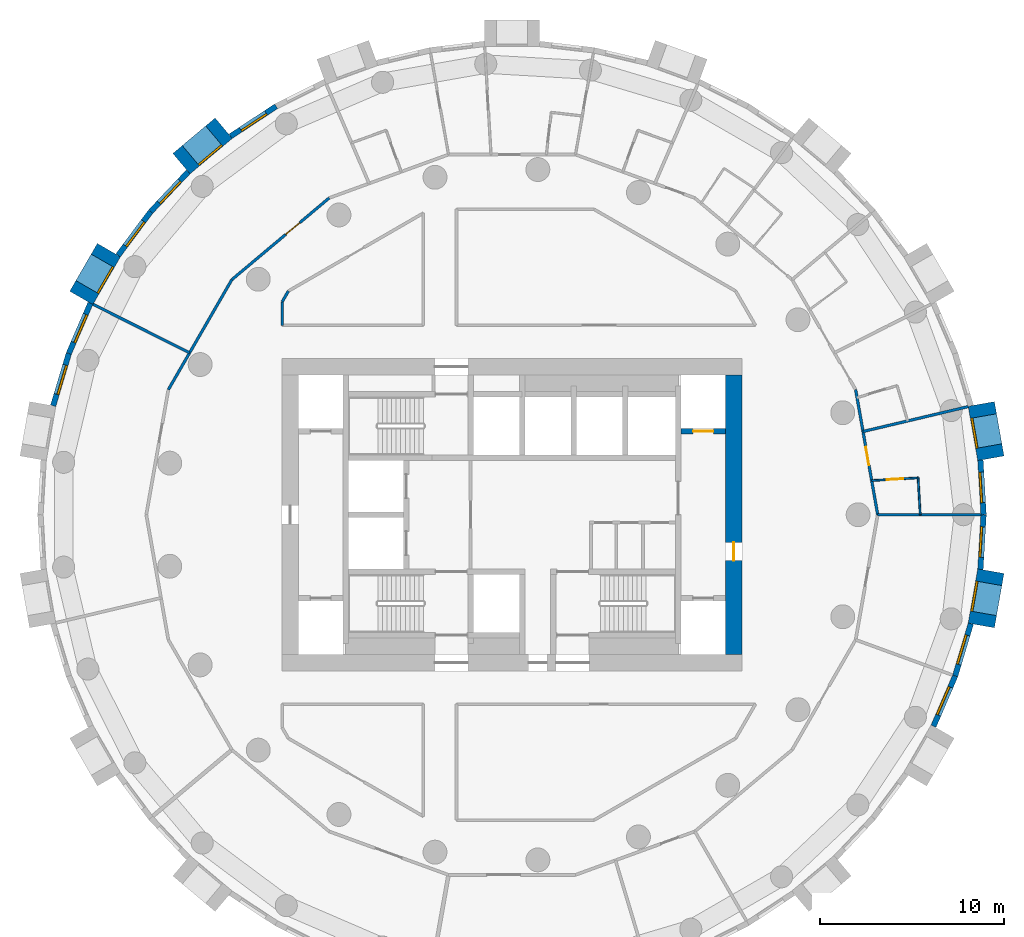
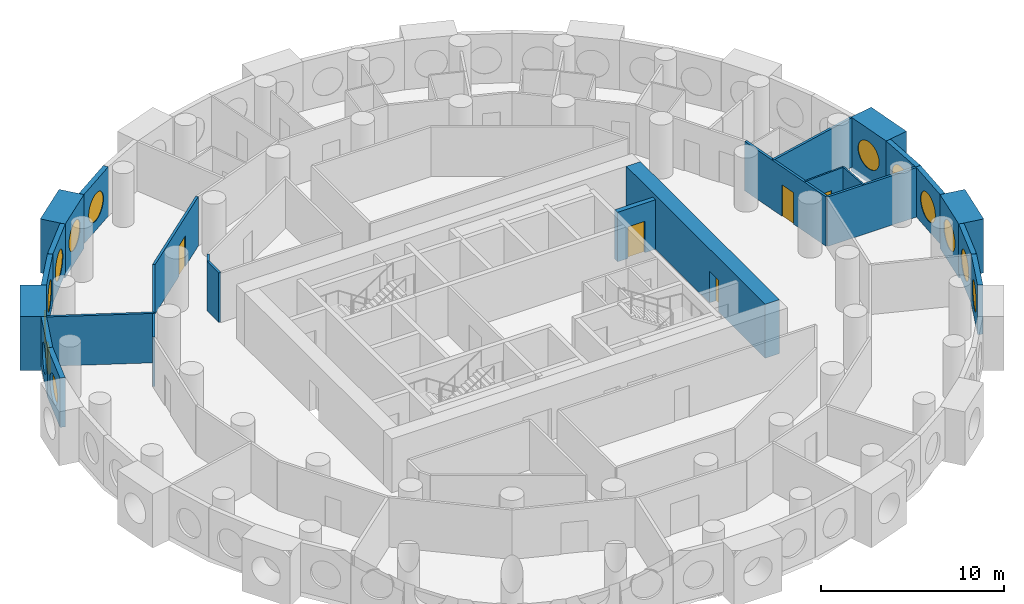
# One storey, part 5 of 9: 25 walls, 13 windows, 5 doors, 18 openings.
"""IFC4 building model written with IfcOpenShell, lengths in metres."""

from ifc_helpers import new_model, si_unit, direction, frame, frame_2d, origin, origin_2d, place, context, subcontext, project, spatial, rectangle, circle, extrude, material, layer, layer_set, type_object, element, fill, save


model = new_model("IFC4")

# Units and contexts
model_context = context("Model", 3, precision=1e-05, world=origin(), true_north=direction((0.0, 1.0)))
body_context = subcontext(model_context, "Body", "Model", "MODEL_VIEW")
ifc_project = project(units=[si_unit("LENGTHUNIT", "METRE"), si_unit("AREAUNIT", "SQUARE_METRE"), si_unit("VOLUMEUNIT", "CUBIC_METRE"), si_unit("PLANEANGLEUNIT", "RADIAN"), si_unit("MASSUNIT", "GRAM", prefix="KILO")], contexts=[model_context])

# Site, building, storey
site_placement = place(None, origin())
site = spatial("IfcSite", under=ifc_project, at=site_placement, CompositionType="ELEMENT")
building_placement = place(site_placement, origin())
building = spatial("IfcBuilding", under=site, at=building_placement, Name="Tracery Tower", CompositionType="ELEMENT")
storey_placement = place(building_placement, frame((0.0, 0.0, 162.0)))
storey = spatial("IfcBuildingStorey", under=building, at=storey_placement, Name="L41", CompositionType="ELEMENT", Elevation=162.0)

# Wall, opening, door
ifc_material_1 = material(Name="Concrete C50/60", Category="concrete")
ifc_layer_1 = layer(ifc_material_1, 0.89990234375)
ifc_layer_set_1 = layer_set([ifc_layer_1], Name="Core wall 900 C50")
wall_type_1 = type_object("IfcWallType", Name="Core wall 900 C50", PredefinedType="SOLIDWALL", material=ifc_layer_set_1)
wall_1_placement = place(storey_placement, frame((12.050048828125, -7.60009765625, 0.0), z_axis=(0.0, 0.0, 1.0), x_axis=(0.0, 1.0, 0.0)))
wall_1 = element("IfcWall", 1, at=wall_1_placement, inside=storey, type_object=wall_type_1, Name="L41 outer E", PredefinedType="SOLIDWALL", context=body_context, shape_type="SweptSolid", body=[
    extrude(rectangle(XDim=15.2001953125, YDim=0.89990234375, at=frame_2d((7.60009765625, 0.0))), origin(), (0.0, 0.0, 1.0), 3.60009765625),
])
opening_1_placement = place(wall_1_placement, frame((5.10009765625, 0.0, 0.0)))
opening_1 = element("IfcOpeningElement", 2, at=opening_1_placement, cuts=wall_1, Name="Opening KD18", PredefinedType="OPENING", context=body_context, shape_type="SweptSolid", body=[
    extrude(rectangle(XDim=1.0, YDim=2.10009765625, at=frame_2d((0.5, 1.050048828125))), frame((0.0, 0.449951171875, 0.0), z_axis=(0.0, -1.0, 0.0), x_axis=(1.0, 0.0, 0.0)), (0.0, 0.0, 1.0), 0.89990234375),
])
ifc_material_2 = material(Name="Steel fire door", Category="steel")
door_type_1 = type_object("IfcDoorType", Name="Core exit door 1000", OperationType="NOTDEFINED", PredefinedType="DOOR", material=ifc_material_2)
door_1_placement = place(opening_1_placement, origin())
door_1 = element("IfcDoor", 3, at=door_1_placement, inside=storey, type_object=door_type_1, Name="Core exit door", OperationType="DOUBLE_DOOR_SINGLE_SWING", OverallHeight=2.10009765625, OverallWidth=1.0, PredefinedType="DOOR", context=body_context, shape_type="SweptSolid", body=[
    extrude(rectangle(XDim=1.0, YDim=2.10009765625, at=frame_2d((0.5, 1.050048828125))), frame((0.0, 0.02490234375, 0.0), z_axis=(0.0, -1.0, 0.0), x_axis=(1.0, 0.0, 0.0)), (0.0, 0.0, 1.0), 0.050048828125),
])
fill(opening_1, door_1)

# Wall, opening, window
ifc_material_3 = material(Name="Precast concrete C50/60", Category="concrete")
ifc_layer_2 = layer(ifc_material_3, 1.449951171875)
ifc_layer_set_2 = layer_set([ifc_layer_2], Name="Deep-set bay unit 3000 x 3600, slab edge 300")
wall_type_2 = type_object("IfcWallType", Name="Deep-set bay unit 3000 x 3600, slab edge 300", PredefinedType="ELEMENTEDWALL", material=ifc_layer_set_2)
wall_2_placement = place(storey_placement, frame((26.041748046875, 3.06884765625, -0.300048828125), z_axis=(0.0, 0.0, 1.0), x_axis=(-0.173669267716, 0.984804034035, 0.0)))
wall_2 = element("IfcWall", 4, at=wall_2_placement, inside=storey, type_object=wall_type_2, Name="Deep-set bay unit 2 at L41", PredefinedType="ELEMENTEDWALL", context=body_context, shape_type="SweptSolid", body=[
    extrude(rectangle(XDim=3.0, YDim=1.449951171875, at=frame_2d((1.5, 0.0))), origin(), (0.0, 0.0, 1.0), 3.60009765625),
])
opening_2_placement = place(wall_2_placement, frame((1.5, 0.0, 1.85009765625)))
opening_2 = element("IfcOpeningElement", 5, at=opening_2_placement, cuts=wall_2, Name="Opening WN1", PredefinedType="OPENING", context=body_context, shape_type="SweptSolid", body=[
    extrude(circle(Radius=0.9000244140625, at=origin_2d()), frame((0.0, 0.73486328125, 0.0), z_axis=(0.0, -1.0, 0.0), x_axis=(1.0, 0.0, 0.0)), (0.0, 0.0, 1.0), 1.469970703125),
])
ifc_material_4 = material(Name="Aluminium frame with tinted double glazing", Category="aluminium")
window_type = type_object("IfcWindowType", Name="Round window 1800", PartitioningType="SINGLE_PANEL", PredefinedType="WINDOW", material=ifc_material_4)
window_1_placement = place(opening_2_placement, origin())
window_1 = element("IfcWindow", 6, at=window_1_placement, inside=storey, type_object=window_type, Name="Round window 2 at L41", OverallHeight=1.800048828125, OverallWidth=1.800048828125, PartitioningType="SINGLE_PANEL", PredefinedType="WINDOW", context=body_context, shape_type="SweptSolid", body=[
    extrude(circle(Radius=0.9000244140625, at=origin_2d()), frame((0.0, 0.69482421875, 0.0), z_axis=(0.0, -1.0, 0.0), x_axis=(1.0, 0.0, 0.0)), (0.0, 0.0, 1.0), 0.10009765625),
])
fill(opening_2, window_1)

wall_3_placement = place(storey_placement, frame((-15.678466796875, 21.0185546875, -0.300048828125), z_axis=(0.0, 0.0, 1.0), x_axis=(-0.766022196139, -0.642814121673, 0.0)))
wall_3 = element("IfcWall", 7, at=wall_3_placement, inside=storey, type_object=wall_type_2, Name="Deep-set bay unit 20 at L41", PredefinedType="ELEMENTEDWALL", context=body_context, shape_type="SweptSolid", body=[
    extrude(rectangle(XDim=3.0, YDim=1.449951171875, at=frame_2d((1.5, 0.0))), origin(), (0.0, 0.0, 1.0), 3.60009765625),
])
opening_3_placement = place(wall_3_placement, frame((1.5, 0.0, 1.85009765625)))
opening_3 = element("IfcOpeningElement", 8, at=opening_3_placement, cuts=wall_3, Name="Opening WN1", PredefinedType="OPENING", context=body_context, shape_type="SweptSolid", body=[
    extrude(circle(Radius=0.9000244140625, at=origin_2d()), frame((0.0, 0.73486328125, 0.0), z_axis=(0.0, -1.0, 0.0), x_axis=(1.0, 0.0, 0.0)), (0.0, 0.0, 1.0), 1.469970703125),
])
window_2_placement = place(opening_3_placement, origin())
window_2 = element("IfcWindow", 9, at=window_2_placement, inside=storey, type_object=window_type, Name="Round window 20 at L41", OverallHeight=1.800048828125, OverallWidth=1.800048828125, PartitioningType="SINGLE_PANEL", PredefinedType="WINDOW", context=body_context, shape_type="SweptSolid", body=[
    extrude(circle(Radius=0.9000244140625, at=origin_2d()), frame((0.0, 0.69482421875, 0.0), z_axis=(0.0, -1.0, 0.0), x_axis=(1.0, 0.0, 0.0)), (0.0, 0.0, 1.0), 0.10009765625),
])
fill(opening_3, window_2)

wall_4_placement = place(storey_placement, frame((-21.921630859375, 14.388671875, -0.300048828125), z_axis=(0.0, 0.0, 1.0), x_axis=(-0.499990139034, -0.866031096941, 0.0)))
wall_4 = element("IfcWall", 10, at=wall_4_placement, inside=storey, type_object=wall_type_2, Name="Deep-set bay unit 23 at L41", PredefinedType="ELEMENTEDWALL", context=body_context, shape_type="SweptSolid", body=[
    extrude(rectangle(XDim=3.0, YDim=1.449951171875, at=frame_2d((1.5, 0.0))), origin(), (0.0, 0.0, 1.0), 3.60009765625),
])
opening_4_placement = place(wall_4_placement, frame((1.5, 0.0, 1.85009765625)))
opening_4 = element("IfcOpeningElement", 11, at=opening_4_placement, cuts=wall_4, Name="Opening WN1", PredefinedType="OPENING", context=body_context, shape_type="SweptSolid", body=[
    extrude(circle(Radius=0.9000244140625, at=origin_2d()), frame((0.0, 0.73486328125, 0.0), z_axis=(0.0, -1.0, 0.0), x_axis=(1.0, 0.0, 0.0)), (0.0, 0.0, 1.0), 1.469970703125),
])
window_3_placement = place(opening_4_placement, origin())
window_3 = element("IfcWindow", 12, at=window_3_placement, inside=storey, type_object=window_type, Name="Round window 23 at L41", OverallHeight=1.800048828125, OverallWidth=1.800048828125, PartitioningType="SINGLE_PANEL", PredefinedType="WINDOW", context=body_context, shape_type="SweptSolid", body=[
    extrude(circle(Radius=0.9000244140625, at=origin_2d()), frame((0.0, 0.69482421875, 0.0), z_axis=(0.0, -1.0, 0.0), x_axis=(1.0, 0.0, 0.0)), (0.0, 0.0, 1.0), 0.10009765625),
])
fill(opening_4, window_3)

wall_5_placement = place(storey_placement, frame((25.520751953125, -6.023193359375, -0.300048828125), z_axis=(0.0, 0.0, 1.0), x_axis=(0.173669267716, 0.984804034035, 0.0)))
wall_5 = element("IfcWall", 13, at=wall_5_placement, inside=storey, type_object=wall_type_2, Name="Deep-set bay unit 53 at L41", PredefinedType="ELEMENTEDWALL", context=body_context, shape_type="SweptSolid", body=[
    extrude(rectangle(XDim=3.0, YDim=1.449951171875, at=frame_2d((1.5, 0.0))), origin(), (0.0, 0.0, 1.0), 3.60009765625),
])
opening_5_placement = place(wall_5_placement, frame((1.5, 0.0, 1.85009765625)))
opening_5 = element("IfcOpeningElement", 14, at=opening_5_placement, cuts=wall_5, Name="Opening WN1", PredefinedType="OPENING", context=body_context, shape_type="SweptSolid", body=[
    extrude(circle(Radius=0.9000244140625, at=origin_2d()), frame((0.0, 0.73486328125, 0.0), z_axis=(0.0, -1.0, 0.0), x_axis=(1.0, 0.0, 0.0)), (0.0, 0.0, 1.0), 1.469970703125),
])
window_4_placement = place(opening_5_placement, origin())
window_4 = element("IfcWindow", 15, at=window_4_placement, inside=storey, type_object=window_type, Name="Round window 53 at L41", OverallHeight=1.800048828125, OverallWidth=1.800048828125, PartitioningType="SINGLE_PANEL", PredefinedType="WINDOW", context=body_context, shape_type="SweptSolid", body=[
    extrude(circle(Radius=0.9000244140625, at=origin_2d()), frame((0.0, 0.69482421875, 0.0), z_axis=(0.0, -1.0, 0.0), x_axis=(1.0, 0.0, 0.0)), (0.0, 0.0, 1.0), 0.10009765625),
])
fill(opening_5, window_4)

ifc_material_5 = material(Name="Precast concrete C50/60", Category="concrete")
ifc_layer_3 = layer(ifc_material_5, 0.300048828125)
ifc_layer_set_3 = layer_set([ifc_layer_3], Name="Facade panel 3000 x 3300")
wall_type_3 = type_object("IfcWallType", Name="Facade panel 3000 x 3300", PredefinedType="SOLIDWALL", material=ifc_layer_set_3)
wall_6_placement = place(storey_placement, frame((25.6474609375, 0.0, 0.0), z_axis=(0.0, 0.0, 1.0), x_axis=(-0.058144307138, 0.998308188661, 0.0)))
wall_6 = element("IfcWall", 16, at=wall_6_placement, inside=storey, type_object=wall_type_3, Name="Facade panel 1 at L41", PredefinedType="SOLIDWALL", context=body_context, shape_type="SweptSolid", body=[
    extrude(rectangle(XDim=2.972900390625, YDim=0.300048828125, at=frame_2d((1.486328125, 0.0))), origin(), (0.0, 0.0, 1.0), 3.300048828125),
])
opening_6_placement = place(wall_6_placement, frame((1.486328125, 0.0, 1.5498046875)))
opening_6 = element("IfcOpeningElement", 17, at=opening_6_placement, cuts=wall_6, Name="Opening WN1", PredefinedType="OPENING", context=body_context, shape_type="SweptSolid", body=[
    extrude(circle(Radius=0.9000244140625, at=origin_2d()), frame((0.0, 0.159912109375, 0.0), z_axis=(0.0, -1.0, 0.0), x_axis=(1.0, 0.0, 0.0)), (0.0, 0.0, 1.0), 0.320068359375),
])
window_5_placement = place(opening_6_placement, origin())
window_5 = element("IfcWindow", 18, at=window_5_placement, inside=storey, type_object=window_type, Name="Round window 1 at L41", OverallHeight=1.800048828125, OverallWidth=1.800048828125, PartitioningType="SINGLE_PANEL", PredefinedType="WINDOW", context=body_context, shape_type="SweptSolid", body=[
    extrude(circle(Radius=0.9000244140625, at=origin_2d()), frame((0.0, 0.1201171875, 0.0), z_axis=(0.0, -1.0, 0.0), x_axis=(1.0, 0.0, 0.0)), (0.0, 0.0, 1.0), 0.10009765625),
])
fill(opening_6, window_5)

wall_7_placement = place(storey_placement, frame((-12.82373046875, 22.21142578125, 0.0), z_axis=(0.0, 0.0, 1.0), x_axis=(-0.835470659512, -0.549535055382, 0.0)))
wall_7 = element("IfcWall", 19, at=wall_7_placement, inside=storey, type_object=wall_type_3, Name="Facade panel 19 at L41", PredefinedType="SOLIDWALL", context=body_context, shape_type="SweptSolid", body=[
    extrude(rectangle(XDim=2.97314453125, YDim=0.300048828125, at=frame_2d((1.486572265625, 0.0))), origin(), (0.0, 0.0, 1.0), 3.300048828125),
])
opening_7_placement = place(wall_7_placement, frame((1.486328125, 0.0, 1.5498046875)))
opening_7 = element("IfcOpeningElement", 20, at=opening_7_placement, cuts=wall_7, Name="Opening WN1", PredefinedType="OPENING", context=body_context, shape_type="SweptSolid", body=[
    extrude(circle(Radius=0.9000244140625, at=origin_2d()), frame((0.0, 0.159912109375, 0.0), z_axis=(0.0, -1.0, 0.0), x_axis=(1.0, 0.0, 0.0)), (0.0, 0.0, 1.0), 0.320068359375),
])
window_6_placement = place(opening_7_placement, origin())
window_6 = element("IfcWindow", 21, at=window_6_placement, inside=storey, type_object=window_type, Name="Round window 19 at L41", OverallHeight=1.800048828125, OverallWidth=1.800048828125, PartitioningType="SINGLE_PANEL", PredefinedType="WINDOW", context=body_context, shape_type="SweptSolid", body=[
    extrude(circle(Radius=0.9000244140625, at=origin_2d()), frame((0.0, 0.1201171875, 0.0), z_axis=(0.0, -1.0, 0.0), x_axis=(1.0, 0.0, 0.0)), (0.0, 0.0, 1.0), 0.10009765625),
])
fill(opening_7, window_6)

wall_8_placement = place(storey_placement, frame((-17.60693359375, 18.648193359375, 0.0), z_axis=(0.0, 0.0, 1.0), x_axis=(-0.686235184166, -0.727379730273, 0.0)))
wall_8 = element("IfcWall", 22, at=wall_8_placement, inside=storey, type_object=wall_type_3, Name="Facade panel 21 at L41", PredefinedType="SOLIDWALL", context=body_context, shape_type="SweptSolid", body=[
    extrude(rectangle(XDim=2.972900390625, YDim=0.300048828125, at=frame_2d((1.486328125, 0.0))), origin(), (0.0, 0.0, 1.0), 3.300048828125),
])
opening_8_placement = place(wall_8_placement, frame((1.486328125, 0.0, 1.5498046875)))
opening_8 = element("IfcOpeningElement", 23, at=opening_8_placement, cuts=wall_8, Name="Opening WN1", PredefinedType="OPENING", context=body_context, shape_type="SweptSolid", body=[
    extrude(circle(Radius=0.9000244140625, at=origin_2d()), frame((0.0, 0.159912109375, 0.0), z_axis=(0.0, -1.0, 0.0), x_axis=(1.0, 0.0, 0.0)), (0.0, 0.0, 1.0), 0.320068359375),
])
window_7_placement = place(opening_8_placement, origin())
window_7 = element("IfcWindow", 24, at=window_7_placement, inside=storey, type_object=window_type, Name="Round window 21 at L41", OverallHeight=1.800048828125, OverallWidth=1.800048828125, PartitioningType="SINGLE_PANEL", PredefinedType="WINDOW", context=body_context, shape_type="SweptSolid", body=[
    extrude(circle(Radius=0.9000244140625, at=origin_2d()), frame((0.0, 0.1201171875, 0.0), z_axis=(0.0, -1.0, 0.0), x_axis=(1.0, 0.0, 0.0)), (0.0, 0.0, 1.0), 0.10009765625),
])
fill(opening_8, window_7)

wall_9_placement = place(storey_placement, frame((-19.64697265625, 16.48583984375, 0.0), z_axis=(0.0, 0.0, 1.0), x_axis=(-0.597197580538, -0.80209416517, 0.0)))
wall_9 = element("IfcWall", 25, at=wall_9_placement, inside=storey, type_object=wall_type_3, Name="Facade panel 22 at L41", PredefinedType="SOLIDWALL", context=body_context, shape_type="SweptSolid", body=[
    extrude(rectangle(XDim=2.972900390625, YDim=0.300048828125, at=frame_2d((1.486328125, 0.0))), origin(), (0.0, 0.0, 1.0), 3.300048828125),
])
opening_9_placement = place(wall_9_placement, frame((1.486328125, 0.0, 1.5498046875)))
opening_9 = element("IfcOpeningElement", 26, at=opening_9_placement, cuts=wall_9, Name="Opening WN1", PredefinedType="OPENING", context=body_context, shape_type="SweptSolid", body=[
    extrude(circle(Radius=0.9000244140625, at=origin_2d()), frame((0.0, 0.159912109375, 0.0), z_axis=(0.0, -1.0, 0.0), x_axis=(1.0, 0.0, 0.0)), (0.0, 0.0, 1.0), 0.320068359375),
])
window_8_placement = place(opening_9_placement, origin())
window_8 = element("IfcWindow", 27, at=window_8_placement, inside=storey, type_object=window_type, Name="Round window 22 at L41", OverallHeight=1.800048828125, OverallWidth=1.800048828125, PartitioningType="SINGLE_PANEL", PredefinedType="WINDOW", context=body_context, shape_type="SweptSolid", body=[
    extrude(circle(Radius=0.9000244140625, at=origin_2d()), frame((0.0, 0.1201171875, 0.0), z_axis=(0.0, -1.0, 0.0), x_axis=(1.0, 0.0, 0.0)), (0.0, 0.0, 1.0), 0.10009765625),
])
fill(opening_9, window_8)

wall_10_placement = place(storey_placement, frame((-22.923095703125, 11.501708984375, 0.0), z_axis=(0.0, 0.0, 1.0), x_axis=(-0.396148129016, -0.918186614952, 0.0)))
wall_10 = element("IfcWall", 28, at=wall_10_placement, inside=storey, type_object=wall_type_3, Name="Facade panel 24 at L41", PredefinedType="SOLIDWALL", context=body_context, shape_type="SweptSolid", body=[
    extrude(rectangle(XDim=2.972900390625, YDim=0.300048828125, at=frame_2d((1.486328125, 0.0))), origin(), (0.0, 0.0, 1.0), 3.300048828125),
])
opening_10_placement = place(wall_10_placement, frame((1.486328125, 0.0, 1.5498046875)))
opening_10 = element("IfcOpeningElement", 29, at=opening_10_placement, cuts=wall_10, Name="Opening WN1", PredefinedType="OPENING", context=body_context, shape_type="SweptSolid", body=[
    extrude(circle(Radius=0.9000244140625, at=origin_2d()), frame((0.0, 0.159912109375, 0.0), z_axis=(0.0, -1.0, 0.0), x_axis=(1.0, 0.0, 0.0)), (0.0, 0.0, 1.0), 0.320068359375),
])
window_9_placement = place(opening_10_placement, origin())
window_9 = element("IfcWindow", 30, at=window_9_placement, inside=storey, type_object=window_type, Name="Round window 24 at L41", OverallHeight=1.800048828125, OverallWidth=1.800048828125, PartitioningType="SINGLE_PANEL", PredefinedType="WINDOW", context=body_context, shape_type="SweptSolid", body=[
    extrude(circle(Radius=0.9000244140625, at=origin_2d()), frame((0.0, 0.1201171875, 0.0), z_axis=(0.0, -1.0, 0.0), x_axis=(1.0, 0.0, 0.0)), (0.0, 0.0, 1.0), 0.10009765625),
])
fill(opening_10, window_9)

wall_11_placement = place(storey_placement, frame((-24.100830078125, 8.77197265625, 0.0), z_axis=(0.0, 0.0, 1.0), x_axis=(-0.286782750849, -0.957995643944, 0.0)))
wall_11 = element("IfcWall", 31, at=wall_11_placement, inside=storey, type_object=wall_type_3, Name="Facade panel 25 at L41", PredefinedType="SOLIDWALL", context=body_context, shape_type="SweptSolid", body=[
    extrude(rectangle(XDim=2.97265625, YDim=0.300048828125, at=frame_2d((1.486328125, 0.0))), origin(), (0.0, 0.0, 1.0), 3.300048828125),
])
opening_11_placement = place(wall_11_placement, frame((1.486328125, 0.0, 1.5498046875)))
opening_11 = element("IfcOpeningElement", 32, at=opening_11_placement, cuts=wall_11, Name="Opening WN1", PredefinedType="OPENING", context=body_context, shape_type="SweptSolid", body=[
    extrude(circle(Radius=0.9000244140625, at=origin_2d()), frame((0.0, 0.159912109375, 0.0), z_axis=(0.0, -1.0, 0.0), x_axis=(1.0, 0.0, 0.0)), (0.0, 0.0, 1.0), 0.320068359375),
])
window_10_placement = place(opening_11_placement, origin())
window_10 = element("IfcWindow", 33, at=window_10_placement, inside=storey, type_object=window_type, Name="Round window 25 at L41", OverallHeight=1.800048828125, OverallWidth=1.800048828125, PartitioningType="SINGLE_PANEL", PredefinedType="WINDOW", context=body_context, shape_type="SweptSolid", body=[
    extrude(circle(Radius=0.9000244140625, at=origin_2d()), frame((0.0, 0.1201171875, 0.0), z_axis=(0.0, -1.0, 0.0), x_axis=(1.0, 0.0, 0.0)), (0.0, 0.0, 1.0), 0.10009765625),
])
fill(opening_11, window_10)

wall_12_placement = place(storey_placement, frame((22.923095703125, -11.501708984375, 0.0), z_axis=(0.0, 0.0, 1.0), x_axis=(0.396148129016, 0.918186614952, 0.0)))
wall_12 = element("IfcWall", 34, at=wall_12_placement, inside=storey, type_object=wall_type_3, Name="Facade panel 51 at L41", PredefinedType="SOLIDWALL", context=body_context, shape_type="SweptSolid", body=[
    extrude(rectangle(XDim=2.972900390625, YDim=0.300048828125, at=frame_2d((1.486328125, 0.0))), origin(), (0.0, 0.0, 1.0), 3.300048828125),
])
opening_12_placement = place(wall_12_placement, frame((1.486328125, 0.0, 1.5498046875)))
opening_12 = element("IfcOpeningElement", 35, at=opening_12_placement, cuts=wall_12, Name="Opening WN1", PredefinedType="OPENING", context=body_context, shape_type="SweptSolid", body=[
    extrude(circle(Radius=0.9000244140625, at=origin_2d()), frame((0.0, 0.159912109375, 0.0), z_axis=(0.0, -1.0, 0.0), x_axis=(1.0, 0.0, 0.0)), (0.0, 0.0, 1.0), 0.320068359375),
])
window_11_placement = place(opening_12_placement, origin())
window_11 = element("IfcWindow", 36, at=window_11_placement, inside=storey, type_object=window_type, Name="Round window 51 at L41", OverallHeight=1.800048828125, OverallWidth=1.800048828125, PartitioningType="SINGLE_PANEL", PredefinedType="WINDOW", context=body_context, shape_type="SweptSolid", body=[
    extrude(circle(Radius=0.9000244140625, at=origin_2d()), frame((0.0, 0.1201171875, 0.0), z_axis=(0.0, -1.0, 0.0), x_axis=(1.0, 0.0, 0.0)), (0.0, 0.0, 1.0), 0.10009765625),
])
fill(opening_12, window_11)

wall_13_placement = place(storey_placement, frame((24.100830078125, -8.77197265625, 0.0), z_axis=(0.0, 0.0, 1.0), x_axis=(0.286782750849, 0.957995643944, 0.0)))
wall_13 = element("IfcWall", 37, at=wall_13_placement, inside=storey, type_object=wall_type_3, Name="Facade panel 52 at L41", PredefinedType="SOLIDWALL", context=body_context, shape_type="SweptSolid", body=[
    extrude(rectangle(XDim=2.97265625, YDim=0.300048828125, at=frame_2d((1.486328125, 0.0))), origin(), (0.0, 0.0, 1.0), 3.300048828125),
])
opening_13_placement = place(wall_13_placement, frame((1.486328125, 0.0, 1.5498046875)))
opening_13 = element("IfcOpeningElement", 38, at=opening_13_placement, cuts=wall_13, Name="Opening WN1", PredefinedType="OPENING", context=body_context, shape_type="SweptSolid", body=[
    extrude(circle(Radius=0.9000244140625, at=origin_2d()), frame((0.0, 0.159912109375, 0.0), z_axis=(0.0, -1.0, 0.0), x_axis=(1.0, 0.0, 0.0)), (0.0, 0.0, 1.0), 0.320068359375),
])
window_12_placement = place(opening_13_placement, origin())
window_12 = element("IfcWindow", 39, at=window_12_placement, inside=storey, type_object=window_type, Name="Round window 52 at L41", OverallHeight=1.800048828125, OverallWidth=1.800048828125, PartitioningType="SINGLE_PANEL", PredefinedType="WINDOW", context=body_context, shape_type="SweptSolid", body=[
    extrude(circle(Radius=0.9000244140625, at=origin_2d()), frame((0.0, 0.1201171875, 0.0), z_axis=(0.0, -1.0, 0.0), x_axis=(1.0, 0.0, 0.0)), (0.0, 0.0, 1.0), 0.10009765625),
])
fill(opening_13, window_12)

wall_14_placement = place(storey_placement, frame((25.474609375, -2.9677734375, 0.0), z_axis=(0.0, 0.0, 1.0), x_axis=(0.058144307138, 0.998308188661, 0.0)))
wall_14 = element("IfcWall", 40, at=wall_14_placement, inside=storey, type_object=wall_type_3, Name="Facade panel 54 at L41", PredefinedType="SOLIDWALL", context=body_context, shape_type="SweptSolid", body=[
    extrude(rectangle(XDim=2.972900390625, YDim=0.300048828125, at=frame_2d((1.486328125, 0.0))), origin(), (0.0, 0.0, 1.0), 3.300048828125),
])
opening_14_placement = place(wall_14_placement, frame((1.486328125, 0.0, 1.5498046875)))
opening_14 = element("IfcOpeningElement", 41, at=opening_14_placement, cuts=wall_14, Name="Opening WN1", PredefinedType="OPENING", context=body_context, shape_type="SweptSolid", body=[
    extrude(circle(Radius=0.9000244140625, at=origin_2d()), frame((0.0, 0.159912109375, 0.0), z_axis=(0.0, -1.0, 0.0), x_axis=(1.0, 0.0, 0.0)), (0.0, 0.0, 1.0), 0.320068359375),
])
window_13_placement = place(opening_14_placement, origin())
window_13 = element("IfcWindow", 42, at=window_13_placement, inside=storey, type_object=window_type, Name="Round window 54 at L41", OverallHeight=1.800048828125, OverallWidth=1.800048828125, PartitioningType="SINGLE_PANEL", PredefinedType="WINDOW", context=body_context, shape_type="SweptSolid", body=[
    extrude(circle(Radius=0.9000244140625, at=origin_2d()), frame((0.0, 0.1201171875, 0.0), z_axis=(0.0, -1.0, 0.0), x_axis=(1.0, 0.0, 0.0)), (0.0, 0.0, 1.0), 0.10009765625),
])
fill(opening_14, window_13)

# Wall
ifc_material_6 = material(Name="Plasterboard on steel studs", Category="steel")
ifc_layer_4 = layer(ifc_material_6, 0.10009765625)
ifc_layer_set_4 = layer_set([ifc_layer_4], Name="Partition 100 wet wall")
wall_type_4 = type_object("IfcWallType", Name="Partition 100 wet wall", PredefinedType="PARTITIONING", material=ifc_layer_set_4)
wall_15_placement = place(storey_placement, frame((22.083984375, 2.0048828125, 0.0), z_axis=(0.0, 0.0, 1.0), x_axis=(0.058230299749, -0.998303176491, 0.0)))
element("IfcWall", 43, at=wall_15_placement, inside=storey, type_object=wall_type_4, Name="Wet wall RB4-039", PredefinedType="PARTITIONING", context=body_context, shape_type="SweptSolid", body=[
    extrude(rectangle(XDim=2.00830078125, YDim=0.10009765625, at=frame_2d((1.004150390625, 0.0))), origin(), (0.0, 0.0, 1.0), 3.300048828125),
])

# Wall, opening, door
wall_16_placement = place(storey_placement, frame((19.56005859375, 1.85791015625, 0.0), z_axis=(0.0, 0.0, 1.0), x_axis=(0.998308830473, 0.05813328651, 0.0)))
wall_16 = element("IfcWall", 44, at=wall_16_placement, inside=storey, type_object=wall_type_4, Name="Wet wall RB4-040", PredefinedType="PARTITIONING", context=body_context, shape_type="SweptSolid", body=[
    extrude(rectangle(XDim=2.5283203125, YDim=0.10009765625, at=frame_2d((1.26416015625, 0.0))), origin(), (0.0, 0.0, 1.0), 3.300048828125),
])
opening_15_placement = place(wall_16_placement, frame((0.814208984375, 0.0, 0.0)))
opening_15 = element("IfcOpeningElement", 45, at=opening_15_placement, cuts=wall_16, Name="Opening RB4-05", PredefinedType="OPENING", context=body_context, shape_type="SweptSolid", body=[
    extrude(rectangle(XDim=0.89990234375, YDim=2.0400390625, at=frame_2d((0.449951171875, 1.02001953125))), frame((0.0, 0.050048828125, 0.0), z_axis=(0.0, -1.0, 0.0), x_axis=(1.0, 0.0, 0.0)), (0.0, 0.0, 1.0), 0.10009765625),
])
ifc_material_7 = material(Name="Timber door leaf", Category="wood")
door_type_2 = type_object("IfcDoorType", Name="Door en-suite 900", OperationType="NOTDEFINED", PredefinedType="DOOR", material=ifc_material_7)
door_2_placement = place(opening_15_placement, origin())
door_2 = element("IfcDoor", 46, at=door_2_placement, inside=storey, type_object=door_type_2, Name="En-suite door RB4-05", OperationType="SINGLE_SWING_LEFT", OverallHeight=2.0400390625, OverallWidth=0.89990234375, PredefinedType="DOOR", context=body_context, shape_type="SweptSolid", body=[
    extrude(rectangle(XDim=0.89990234375, YDim=2.0400390625, at=frame_2d((0.449951171875, 1.02001953125))), frame((0.0, 0.02490234375, 0.0), z_axis=(0.0, -1.0, 0.0), x_axis=(1.0, 0.0, 0.0)), (0.0, 0.0, 1.0), 0.050048828125),
])
fill(opening_15, door_2)

# Walls
ifc_material_8 = material(Name="Plasterboard on steel studs", Category="steel")
ifc_layer_5 = layer(ifc_material_8, 0.14990234375)
ifc_layer_set_5 = layer_set([ifc_layer_5], Name="Partition 150 acoustic unit wall")
wall_type_5 = type_object("IfcWallType", Name="Partition 150 acoustic unit wall", PredefinedType="PARTITIONING", material=ifc_layer_set_5)
wall_17_placement = place(storey_placement, frame((19.089599609375, 4.525390625, 0.0), z_axis=(0.0, 0.0, 1.0), x_axis=(0.973093766115, 0.230409466707, 0.0)))
element("IfcWall", 47, at=wall_17_placement, inside=storey, type_object=wall_type_5, Name="Unit wall RB4-041", PredefinedType="PARTITIONING", context=body_context, shape_type="SweptSolid", body=[
    extrude(rectangle(XDim=5.878662109375, YDim=0.14990234375, at=frame_2d((2.939453125, 0.0))), origin(), (0.0, 0.0, 1.0), 3.300048828125),
])
wall_18_placement = place(storey_placement, frame((19.887939453125, 0.0, 0.0), z_axis=(0.0, 0.0, 1.0), x_axis=(1.0, 0.0, 0.0)))
element("IfcWall", 48, at=wall_18_placement, inside=storey, type_object=wall_type_5, Name="Unit wall RB4-042", PredefinedType="PARTITIONING", context=body_context, shape_type="SweptSolid", body=[
    extrude(rectangle(XDim=5.609130859375, YDim=0.14990234375, at=frame_2d((2.8046875, 0.0))), origin(), (0.0, 0.0, 1.0), 3.300048828125),
])
wall_19_placement = place(storey_placement, frame((-22.784912109375, 11.443115234375, 0.0), z_axis=(0.0, 0.0, 1.0), x_axis=(0.893628331628, -0.448807759415, 0.0)))
element("IfcWall", 49, at=wall_19_placement, inside=storey, type_object=wall_type_5, Name="Unit wall RB4-069", PredefinedType="PARTITIONING", context=body_context, shape_type="SweptSolid", body=[
    extrude(rectangle(XDim=5.878173828125, YDim=0.14990234375, at=frame_2d((2.93896484375, 0.0))), origin(), (0.0, 0.0, 1.0), 3.300048828125),
])

# Wall, opening, door
ifc_material_9 = material(Name="Plasterboard on steel studs", Category="steel")
ifc_layer_6 = layer(ifc_material_9, 0.14990234375)
ifc_layer_set_6 = layer_set([ifc_layer_6], Name="Partition 150 corridor wall")
wall_type_6 = type_object("IfcWallType", Name="Partition 150 corridor wall", PredefinedType="PARTITIONING", material=ifc_layer_set_6)
wall_20_placement = place(storey_placement, frame((18.6875, 6.802001953125, 0.0), z_axis=(0.0, 0.0, 1.0), x_axis=(0.173831710537, -0.984775373581, 0.0)))
wall_20 = element("IfcWall", 50, at=wall_20_placement, inside=storey, type_object=wall_type_6, Name="Corridor wall RB4-007", PredefinedType="PARTITIONING", context=body_context, shape_type="SweptSolid", body=[
    extrude(rectangle(XDim=6.9072265625, YDim=0.14990234375, at=frame_2d((3.45361328125, 0.0))), origin(), (0.0, 0.0, 1.0), 3.300048828125),
])
opening_16_placement = place(wall_20_placement, frame((3.1669921875, 0.0, 0.0)))
opening_16 = element("IfcOpeningElement", 51, at=opening_16_placement, cuts=wall_20, Name="Opening RB4-06", PredefinedType="OPENING", context=body_context, shape_type="SweptSolid", body=[
    extrude(rectangle(XDim=1.0, YDim=2.10009765625, at=frame_2d((0.5, 1.050048828125))), frame((0.0, 0.074951171875, 0.0), z_axis=(0.0, -1.0, 0.0), x_axis=(1.0, 0.0, 0.0)), (0.0, 0.0, 1.0), 0.14990234375),
])
ifc_material_10 = material(Name="Timber door leaf", Category="wood")
door_type_3 = type_object("IfcDoorType", Name="Door unit entrance 1000", OperationType="NOTDEFINED", PredefinedType="DOOR", material=ifc_material_10)
door_3_placement = place(opening_16_placement, origin())
door_3 = element("IfcDoor", 52, at=door_3_placement, inside=storey, type_object=door_type_3, Name="Unit entrance door RB4-06", OperationType="SINGLE_SWING_RIGHT", OverallHeight=2.10009765625, OverallWidth=1.0, PredefinedType="DOOR", context=body_context, shape_type="SweptSolid", body=[
    extrude(rectangle(XDim=1.0, YDim=2.10009765625, at=frame_2d((0.5, 1.050048828125))), frame((0.0, 0.02490234375, 0.0), z_axis=(0.0, -1.0, 0.0), x_axis=(1.0, 0.0, 0.0)), (0.0, 0.0, 1.0), 0.050048828125),
])
fill(opening_16, door_3)

wall_21_placement = place(storey_placement, frame((-15.23486328125, 12.78369140625, 0.0), z_axis=(0.0, 0.0, 1.0), x_axis=(0.766064078986, 0.642764207845, 0.0)))
wall_21 = element("IfcWall", 53, at=wall_21_placement, inside=storey, type_object=wall_type_6, Name="Corridor wall RB4-021", PredefinedType="PARTITIONING", context=body_context, shape_type="SweptSolid", body=[
    extrude(rectangle(XDim=6.906494140625, YDim=0.14990234375, at=frame_2d((3.453125, 0.0))), origin(), (0.0, 0.0, 1.0), 3.300048828125),
])
opening_17_placement = place(wall_21_placement, frame((3.82275390625, 0.0, 0.0)))
opening_17 = element("IfcOpeningElement", 54, at=opening_17_placement, cuts=wall_21, Name="Opening RB4-22", PredefinedType="OPENING", context=body_context, shape_type="SweptSolid", body=[
    extrude(rectangle(XDim=1.0, YDim=2.0400390625, at=frame_2d((0.5, 1.02001953125))), frame((0.0, 0.074951171875, 0.0), z_axis=(0.0, -1.0, 0.0), x_axis=(1.0, 0.0, 0.0)), (0.0, 0.0, 1.0), 0.14990234375),
])
ifc_material_11 = material(Name="Timber door leaf", Category="wood")
door_type_4 = type_object("IfcDoorType", Name="Door communal room 1000", OperationType="NOTDEFINED", PredefinedType="DOOR", material=ifc_material_11)
door_4_placement = place(opening_17_placement, origin())
door_4 = element("IfcDoor", 55, at=door_4_placement, inside=storey, type_object=door_type_4, Name="Communal room door RB4-22", OperationType="SINGLE_SWING_LEFT", OverallHeight=2.0400390625, OverallWidth=1.0, PredefinedType="DOOR", context=body_context, shape_type="SweptSolid", body=[
    extrude(rectangle(XDim=1.0, YDim=2.0400390625, at=frame_2d((0.5, 1.02001953125))), frame((0.0, 0.02490234375, 0.0), z_axis=(0.0, -1.0, 0.0), x_axis=(1.0, 0.0, 0.0)), (0.0, 0.0, 1.0), 0.050048828125),
])
fill(opening_17, door_4)

# Walls
wall_22_placement = place(storey_placement, frame((-12.5, 11.576904296875, 0.0), z_axis=(0.0, 0.0, 1.0), x_axis=(0.500024767483, 0.866011103799, 0.0)))
element("IfcWall", 56, at=wall_22_placement, inside=storey, type_object=wall_type_6, Name="Corridor wall RB4-022", PredefinedType="PARTITIONING", context=body_context, shape_type="SweptSolid", body=[
    extrude(rectangle(XDim=0.67578125, YDim=0.14990234375, at=frame_2d((0.337890625, 0.0))), origin(), (0.0, 0.0, 1.0), 3.300048828125),
])
wall_23_placement = place(storey_placement, frame((-12.5, 10.300048828125, 0.0), z_axis=(0.0, 0.0, 1.0), x_axis=(0.0, 1.0, 0.0)))
element("IfcWall", 57, at=wall_23_placement, inside=storey, type_object=wall_type_6, Name="Corridor wall RB4-023", PredefinedType="PARTITIONING", context=body_context, shape_type="SweptSolid", body=[
    extrude(rectangle(XDim=1.27685546875, YDim=0.14990234375, at=frame_2d((0.638427734375, 0.0))), origin(), (0.0, 0.0, 1.0), 3.300048828125),
])
wall_24_placement = place(storey_placement, frame((-18.68798828125, 6.802001953125, 0.0), z_axis=(0.0, 0.0, 1.0), x_axis=(0.499914202267, 0.866074933462, 0.0)))
element("IfcWall", 58, at=wall_24_placement, inside=storey, type_object=wall_type_6, Name="Corridor wall RB4-026", PredefinedType="PARTITIONING", context=body_context, shape_type="SweptSolid", body=[
    extrude(rectangle(XDim=6.906982421875, YDim=0.14990234375, at=frame_2d((3.45361328125, 0.0))), origin(), (0.0, 0.0, 1.0), 3.300048828125),
])

# Wall, opening, door
ifc_material_12 = material(Name="Concrete C50/60", Category="concrete")
ifc_layer_7 = layer(ifc_material_12, 0.300048828125)
ifc_layer_set_7 = layer_set([ifc_layer_7], Name="Shaft wall 300 C50")
wall_type_7 = type_object("IfcWallType", Name="Shaft wall 300 C50", PredefinedType="SOLIDWALL", material=ifc_layer_set_7)
wall_25_placement = place(storey_placement, frame((9.199951171875, 4.550048828125, 0.0), z_axis=(0.0, 0.0, 1.0), x_axis=(1.0, 0.0, 0.0)))
wall_25 = element("IfcWall", 59, at=wall_25_placement, inside=storey, type_object=wall_type_7, Name="L41 MR E +4.55", PredefinedType="SOLIDWALL", context=body_context, shape_type="SweptSolid", body=[
    extrude(rectangle(XDim=2.400146484375, YDim=0.300048828125, at=frame_2d((1.2001953125, 0.0))), origin(), (0.0, 0.0, 1.0), 3.300048828125),
])
opening_18_placement = place(wall_25_placement, frame((0.64990234375, 0.0, 0.0)))
opening_18 = element("IfcOpeningElement", 60, at=opening_18_placement, cuts=wall_25, Name="Opening KD49", PredefinedType="OPENING", context=body_context, shape_type="SweptSolid", body=[
    extrude(rectangle(XDim=1.10009765625, YDim=2.10009765625, at=frame_2d((0.550048828125, 1.050048828125))), frame((0.0, 0.14990234375, 0.0), z_axis=(0.0, -1.0, 0.0), x_axis=(1.0, 0.0, 0.0)), (0.0, 0.0, 1.0), 0.300048828125),
])
ifc_material_13 = material(Name="Steel fire door", Category="steel")
door_type_5 = type_object("IfcDoorType", Name="Landing door 1100", OperationType="NOTDEFINED", PredefinedType="DOOR", material=ifc_material_13)
door_5_placement = place(opening_18_placement, origin())
door_5 = element("IfcDoor", 61, at=door_5_placement, inside=storey, type_object=door_type_5, Name="Landing door MR4", OperationType="SLIDING_TO_LEFT", OverallHeight=2.10009765625, OverallWidth=1.10009765625, PredefinedType="DOOR", context=body_context, shape_type="SweptSolid", body=[
    extrude(rectangle(XDim=1.10009765625, YDim=2.10009765625, at=frame_2d((0.550048828125, 1.050048828125))), frame((0.0, 0.02490234375, 0.0), z_axis=(0.0, -1.0, 0.0), x_axis=(1.0, 0.0, 0.0)), (0.0, 0.0, 1.0), 0.050048828125),
])
fill(opening_18, door_5)

save(model, "model.ifc")
